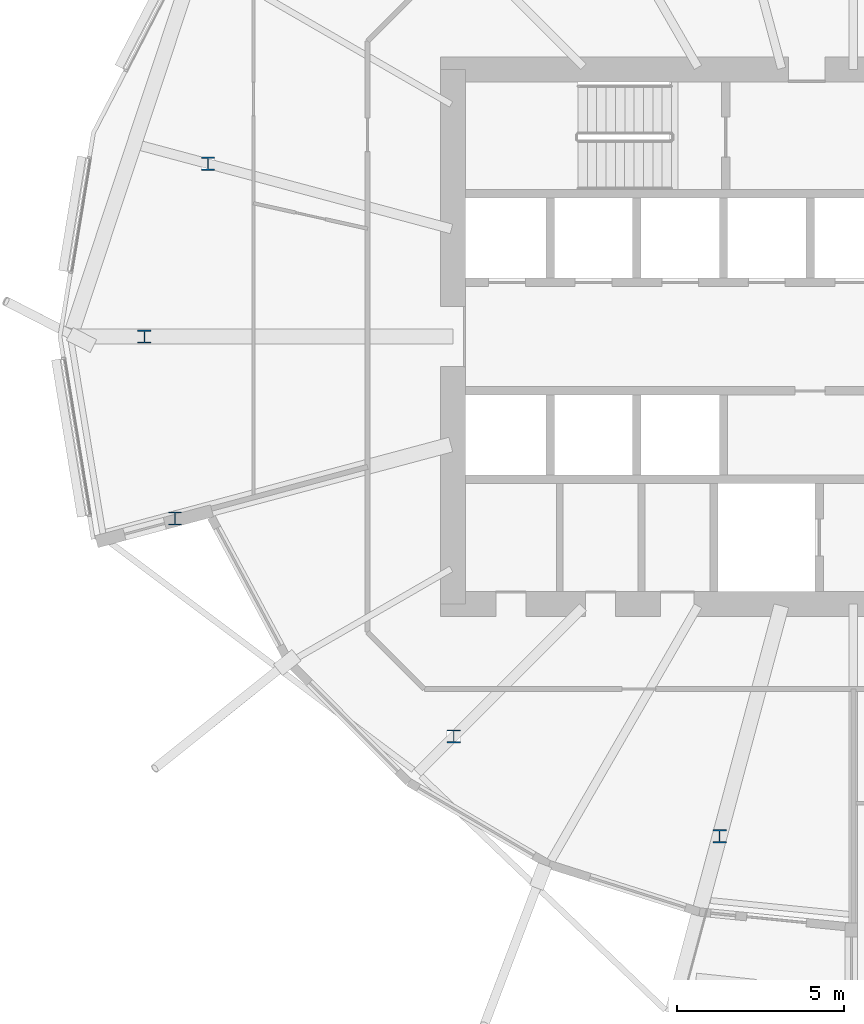
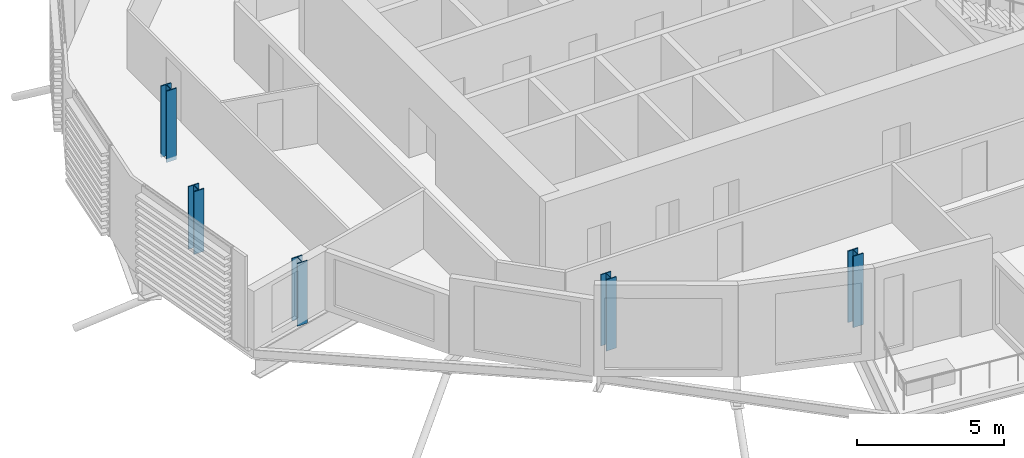
# One storey, part 1 of 43: 5 columns.
"""IFC4 building model written with IfcOpenShell, lengths in metres."""

from ifc_helpers import new_model, si_unit, direction, frame, origin, origin_2d, place, context, subcontext, project, spatial, i_section, extrude, material, material_profile, profile_set, type_object, element, save


model = new_model("IFC4")

# Units and contexts
model_context = context("Model", 3, precision=1e-05, world=origin(), true_north=direction((0.0, 1.0)))
body_context = subcontext(model_context, "Body", "Model", "MODEL_VIEW")
ifc_project = project(units=[si_unit("LENGTHUNIT", "METRE"), si_unit("AREAUNIT", "SQUARE_METRE"), si_unit("VOLUMEUNIT", "CUBIC_METRE"), si_unit("PLANEANGLEUNIT", "RADIAN"), si_unit("MASSUNIT", "GRAM", prefix="KILO")], contexts=[model_context])

# Site, building, storey
site_placement = place(None, origin())
site = spatial("IfcSite", under=ifc_project, at=site_placement, CompositionType="ELEMENT")
building_placement = place(site_placement, origin())
building = spatial("IfcBuilding", under=site, at=building_placement, Name="Rimbun Link Towers", CompositionType="ELEMENT")
storey_placement = place(building_placement, frame((0.0, 0.0, 81.60009765625)))
storey = spatial("IfcBuildingStorey", under=building, at=storey_placement, Name="L19", CompositionType="ELEMENT", Elevation=81.60009765625)

# Columns
ifc_material = material(Name="Steel S355J2", Category="steel")
ifc_material_profile = material_profile(ifc_material, i_section(OverallWidth=0.39892578125, OverallDepth=0.3935546875, WebThickness=0.022705078125, FlangeThickness=0.03662109375, at=origin_2d()), Name="UC 356x406x287")
ifc_profile_set = profile_set([ifc_material_profile], Name="Steel S355J2")
column_type = type_object("IfcColumnType", Name="UC 356x406x287", PredefinedType="COLUMN", material=ifc_profile_set)
column_placement = place(storey_placement, frame((-51.07861328125, 5.17919921875, -0.16015625), z_axis=(0.0, 0.0, 1.0), x_axis=(1.0, 0.0, 0.0)))
element("IfcColumn", 1, at=column_placement, inside=storey, type_object=column_type, Name="Crease post T1 L19 11", PredefinedType="COLUMN", context=body_context, shape_type="SweptSolid", body=[
    extrude(i_section(OverallWidth=0.39892578125, OverallDepth=0.3935546875, WebThickness=0.022705078125, FlangeThickness=0.03662109375, at=origin_2d()), origin(), (0.0, 0.0, 1.0), 2.95947265625),
])
for number, where, z_axis, x_axis, name in (
    (2, (-52.986328125, 0.0, -0.16015625), (0.0, 0.0, 1.0), (1.0, 0.0, 0.0), "Crease post T1 L19 12"),
    (3, (-52.068359375, -5.4443359375, -0.16015625), (0.0, 0.0, 1.0), (1.0, 0.0, 0.0), "Crease post T1 L19 13"),
):
    element("IfcColumn", number, at=place(storey_placement, frame(where, z_axis=z_axis, x_axis=x_axis)), inside=storey, type_object=column_type, Name=name, PredefinedType="COLUMN", context=body_context, shape_type="SweptSolid", body=[
        extrude(i_section(OverallWidth=0.39892578125, OverallDepth=0.3935546875, WebThickness=0.022705078125, FlangeThickness=0.03662109375, at=origin_2d()), origin(), (0.0, 0.0, 1.0), 2.60009765625),
    ])
for number, where, z_axis, x_axis, name in (
    (4, (-43.719970703125, -11.969970703125, -0.16015625), (0.0, 0.0, 1.0), (1.0, 0.0, 0.0), "Crease post T1 L19 15"),
    (5, (-35.75927734375, -14.962890625, -0.16015625), (0.0, 0.0, 1.0), (1.0, 0.0, 0.0), "Crease post T1 L19 17"),
):
    element("IfcColumn", number, at=place(storey_placement, frame(where, z_axis=z_axis, x_axis=x_axis)), inside=storey, type_object=column_type, Name=name, PredefinedType="COLUMN", context=body_context, shape_type="SweptSolid", body=[
        extrude(i_section(OverallWidth=0.39892578125, OverallDepth=0.3935546875, WebThickness=0.022705078125, FlangeThickness=0.03662109375, at=origin_2d()), origin(), (0.0, 0.0, 1.0), 2.95947265625),
    ])

save(model, "model.ifc")
